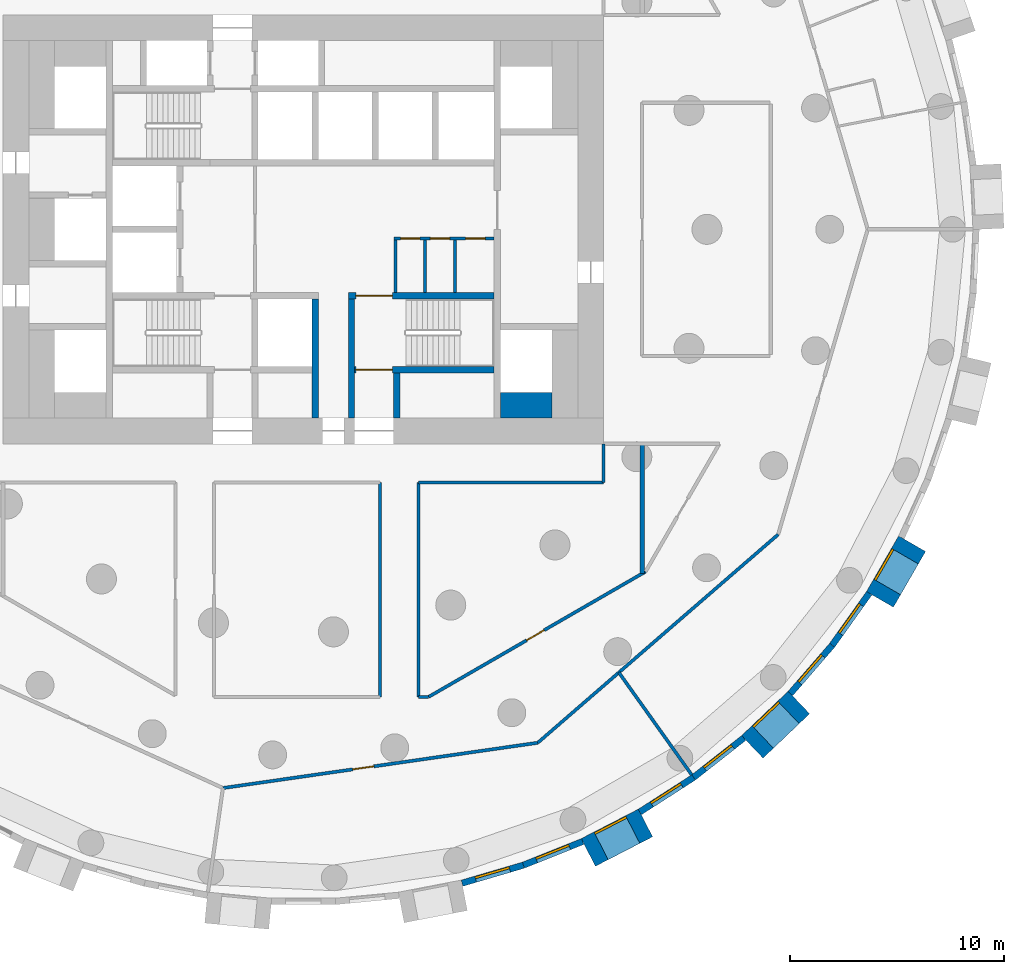
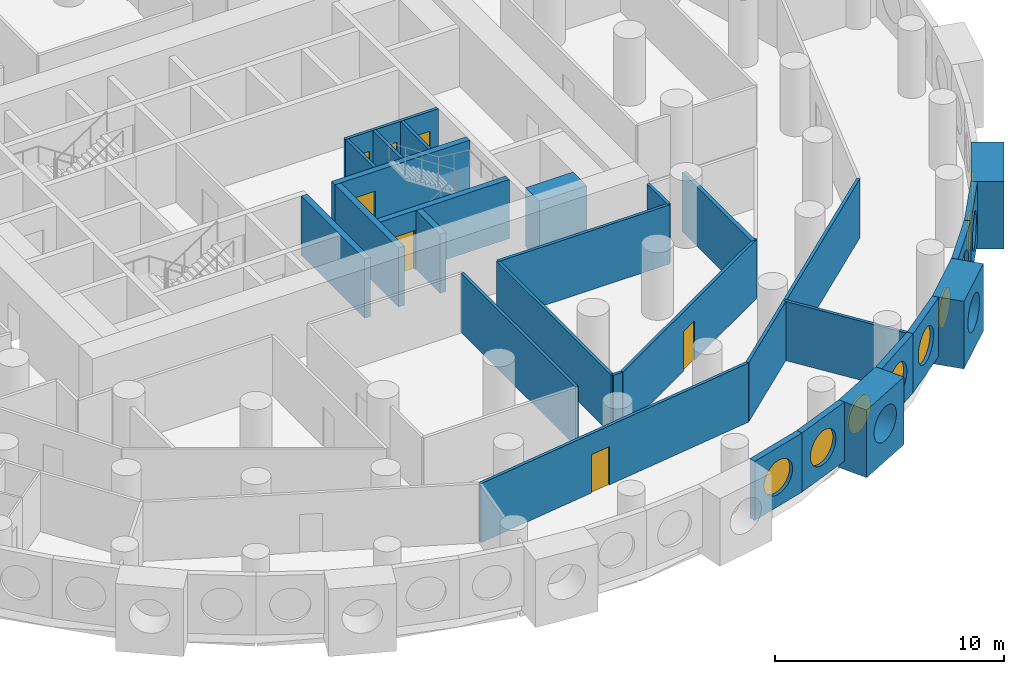
# One storey, part 5 of 12: 29 walls, 9 windows, 7 doors, 16 openings.
"""IFC4 building model written with IfcOpenShell, lengths in metres."""

from ifc_helpers import new_model, si_unit, direction, frame, frame_2d, origin, origin_2d, place, context, subcontext, project, spatial, rectangle, circle, extrude, material, layer, layer_set, type_object, element, fill, save


model = new_model("IFC4")

# Units and contexts
model_context = context("Model", 3, precision=1e-05, world=origin(), true_north=direction((0.0, 1.0)))
body_context = subcontext(model_context, "Body", "Model", "MODEL_VIEW")
ifc_project = project(units=[si_unit("LENGTHUNIT", "METRE"), si_unit("AREAUNIT", "SQUARE_METRE"), si_unit("VOLUMEUNIT", "CUBIC_METRE"), si_unit("PLANEANGLEUNIT", "RADIAN"), si_unit("MASSUNIT", "GRAM", prefix="KILO")], contexts=[model_context])

# Site, building, storey
site_placement = place(None, origin())
site = spatial("IfcSite", under=ifc_project, at=site_placement, CompositionType="ELEMENT")
building_placement = place(site_placement, origin())
building = spatial("IfcBuilding", under=site, at=building_placement, Name="Tracery Tower", CompositionType="ELEMENT")
storey_placement = place(building_placement, frame((0.0, 0.0, 89.39990234375)))
storey = spatial("IfcBuildingStorey", under=building, at=storey_placement, Name="L22", CompositionType="ELEMENT", Elevation=89.39990234375)

# Wall
ifc_material_1 = material(Name="Plasterboard on steel studs", Category="steel")
ifc_layer_1 = layer(ifc_material_1, 0.14990234375)
ifc_layer_set_1 = layer_set([ifc_layer_1], Name="Core room partition 150")
wall_type_1 = type_object("IfcWallType", Name="Core room partition 150", PredefinedType="SOLIDWALL", material=ifc_layer_set_1)
wall_1_placement = place(storey_placement, frame((4.300048828125, -2.949951171875, 0.0), z_axis=(0.0, 0.0, 1.0), x_axis=(0.0, 1.0, 0.0)))
element("IfcWall", 1, at=wall_1_placement, inside=storey, type_object=wall_type_1, Name="L22 slot W", PredefinedType="SOLIDWALL", context=body_context, shape_type="SweptSolid", body=[
    extrude(rectangle(XDim=2.449951171875, YDim=0.14990234375, at=frame_2d((1.22509765625, 0.0))), origin(), (0.0, 0.0, 1.0), 3.150146484375),
])

# Wall, openings, doors
wall_2_placement = place(storey_placement, frame((4.22509765625, -0.425048828125, 0.0), z_axis=(0.0, 0.0, 1.0), x_axis=(1.0, 0.0, 0.0)))
wall_2 = element("IfcWall", 2, at=wall_2_placement, inside=storey, type_object=wall_type_1, Name="L22 slot N", PredefinedType="SOLIDWALL", context=body_context, shape_type="SweptSolid", body=[
    extrude(rectangle(XDim=4.6748046875, YDim=0.14990234375, at=frame_2d((2.33740234375, 0.0))), origin(), (0.0, 0.0, 1.0), 3.150146484375),
])
opening_1_placement = place(wall_2_placement, frame((0.3125, 0.0, 0.0)))
opening_1 = element("IfcOpeningElement", 3, at=opening_1_placement, cuts=wall_2, Name="Opening KD32", PredefinedType="OPENING", context=body_context, shape_type="SweptSolid", body=[
    extrude(rectangle(XDim=0.89990234375, YDim=2.10009765625, at=frame_2d((0.449951171875, 1.050048828125))), frame((0.0, 0.074951171875, 0.0), z_axis=(0.0, -1.0, 0.0), x_axis=(1.0, 0.0, 0.0)), (0.0, 0.0, 1.0), 0.14990234375),
])
opening_2_placement = place(wall_2_placement, frame((1.699951171875, 0.0, 0.0)))
opening_2 = element("IfcOpeningElement", 4, at=opening_2_placement, cuts=wall_2, Name="Opening KD26", PredefinedType="OPENING", context=body_context, shape_type="SweptSolid", body=[
    extrude(rectangle(XDim=0.89990234375, YDim=2.10009765625, at=frame_2d((0.449951171875, 1.050048828125))), frame((0.0, 0.074951171875, 0.0), z_axis=(0.0, -1.0, 0.0), x_axis=(1.0, 0.0, 0.0)), (0.0, 0.0, 1.0), 0.14990234375),
])
opening_3_placement = place(wall_2_placement, frame((3.35009765625, 0.0, 0.0)))
opening_3 = element("IfcOpeningElement", 5, at=opening_3_placement, cuts=wall_2, Name="Opening KD22", PredefinedType="OPENING", context=body_context, shape_type="SweptSolid", body=[
    extrude(rectangle(XDim=0.89990234375, YDim=2.10009765625, at=frame_2d((0.449951171875, 1.050048828125))), frame((0.0, 0.074951171875, 0.0), z_axis=(0.0, -1.0, 0.0), x_axis=(1.0, 0.0, 0.0)), (0.0, 0.0, 1.0), 0.14990234375),
])
ifc_material_2 = material(Name="Timber door leaf", Category="wood")
door_type_1 = type_object("IfcDoorType", Name="Core WC door 900", OperationType="NOTDEFINED", PredefinedType="DOOR", material=ifc_material_2)
door_1_placement = place(opening_3_placement, origin())
door_1 = element("IfcDoor", 6, at=door_1_placement, inside=storey, type_object=door_type_1, Name="Core door", OperationType="SINGLE_SWING_RIGHT", OverallHeight=2.10009765625, OverallWidth=0.89990234375, PredefinedType="DOOR", context=body_context, shape_type="SweptSolid", body=[
    extrude(rectangle(XDim=0.89990234375, YDim=2.10009765625, at=frame_2d((0.449951171875, 1.050048828125))), frame((0.0, 0.02490234375, 0.0), z_axis=(0.0, -1.0, 0.0), x_axis=(1.0, 0.0, 0.0)), (0.0, 0.0, 1.0), 0.050048828125),
])
fill(opening_3, door_1)
ifc_material_3 = material(Name="Steel fire door", Category="steel")
door_type_2 = type_object("IfcDoorType", Name="Core riser door 900", OperationType="NOTDEFINED", PredefinedType="DOOR", material=ifc_material_3)
door_2_placement = place(opening_1_placement, origin())
door_2 = element("IfcDoor", 7, at=door_2_placement, inside=storey, type_object=door_type_2, Name="Core door", OperationType="SINGLE_SWING_RIGHT", OverallHeight=2.10009765625, OverallWidth=0.89990234375, PredefinedType="DOOR", context=body_context, shape_type="SweptSolid", body=[
    extrude(rectangle(XDim=0.89990234375, YDim=2.10009765625, at=frame_2d((0.449951171875, 1.050048828125))), frame((0.0, 0.02490234375, 0.0), z_axis=(0.0, -1.0, 0.0), x_axis=(1.0, 0.0, 0.0)), (0.0, 0.0, 1.0), 0.050048828125),
])
fill(opening_1, door_2)
ifc_material_4 = material(Name="Timber door leaf", Category="wood")
door_type_3 = type_object("IfcDoorType", Name="Core store door 900", OperationType="NOTDEFINED", PredefinedType="DOOR", material=ifc_material_4)
door_3_placement = place(opening_2_placement, origin())
door_3 = element("IfcDoor", 8, at=door_3_placement, inside=storey, type_object=door_type_3, Name="Core door", OperationType="SINGLE_SWING_LEFT", OverallHeight=2.10009765625, OverallWidth=0.89990234375, PredefinedType="DOOR", context=body_context, shape_type="SweptSolid", body=[
    extrude(rectangle(XDim=0.89990234375, YDim=2.10009765625, at=frame_2d((0.449951171875, 1.050048828125))), frame((0.0, 0.02490234375, 0.0), z_axis=(0.0, -1.0, 0.0), x_axis=(1.0, 0.0, 0.0)), (0.0, 0.0, 1.0), 0.050048828125),
])
fill(opening_2, door_3)

# Walls
for number, where, z_axis, x_axis, name in (
    (9, (5.675048828125, -2.949951171875, 0.0), (0.0, 0.0, 1.0), (0.0, 1.0, 0.0), "L22 slot sep 1"),
    (10, (7.074951171875, -2.949951171875, 0.0), (0.0, 0.0, 1.0), (0.0, 1.0, 0.0), "L22 slot sep 2"),
):
    element("IfcWall", number, at=place(storey_placement, frame(where, z_axis=z_axis, x_axis=x_axis)), inside=storey, type_object=wall_type_1, Name=name, PredefinedType="SOLIDWALL", context=body_context, shape_type="SweptSolid", body=[
        extrude(rectangle(XDim=2.449951171875, YDim=0.14990234375, at=frame_2d((1.22509765625, 0.0))), origin(), (0.0, 0.0, 1.0), 3.150146484375),
    ])
ifc_material_5 = material(Name="Concrete C60/75", Category="concrete")
ifc_layer_2 = layer(ifc_material_5, 1.199951171875)
ifc_layer_set_2 = layer_set([ifc_layer_2], Name="Core strip wall 1200 C60")
wall_type_2 = type_object("IfcWallType", Name="Core strip wall 1200 C60", PredefinedType="SOLIDWALL", material=ifc_layer_set_2)
wall_3_placement = place(storey_placement, frame((9.199951171875, -8.199951171875, 0.0), z_axis=(0.0, 0.0, 1.0), x_axis=(1.0, 0.0, 0.0)))
element("IfcWall", 11, at=wall_3_placement, inside=storey, type_object=wall_type_2, Name="L22 wing corner +1 -8.2", PredefinedType="SOLIDWALL", context=body_context, shape_type="SweptSolid", body=[
    extrude(rectangle(XDim=2.400146484375, YDim=1.199951171875, at=frame_2d((1.2001953125, 0.0))), origin(), (0.0, 0.0, 1.0), 3.150146484375),
])

# Wall, opening, window
ifc_material_6 = material(Name="Precast concrete C50/60", Category="concrete")
ifc_layer_3 = layer(ifc_material_6, 1.449951171875)
ifc_layer_set_3 = layer_set([ifc_layer_3], Name="Deep-set bay unit 3000 x 3600, slab edge 450")
wall_type_3 = type_object("IfcWallType", Name="Deep-set bay unit 3000 x 3600, slab edge 450", PredefinedType="ELEMENTEDWALL", material=ifc_layer_set_3)
wall_4_placement = place(storey_placement, frame((13.29052734375, -29.053466796875, -0.449951171875), z_axis=(0.0, 0.0, 1.0), x_axis=(0.888858064689, 0.458182650083, 0.0)))
wall_4 = element("IfcWall", 12, at=wall_4_placement, inside=storey, type_object=wall_type_3, Name="Deep-set bay unit 55 at L22", PredefinedType="ELEMENTEDWALL", context=body_context, shape_type="SweptSolid", body=[
    extrude(rectangle(XDim=3.0, YDim=1.449951171875, at=frame_2d((1.5, 0.0))), origin(), (0.0, 0.0, 1.0), 3.60009765625),
])
opening_4_placement = place(wall_4_placement, frame((1.5, 0.0, 2.0)))
opening_4 = element("IfcOpeningElement", 13, at=opening_4_placement, cuts=wall_4, Name="Opening WN1", PredefinedType="OPENING", context=body_context, shape_type="SweptSolid", body=[
    extrude(circle(Radius=0.9000244140625, at=origin_2d()), frame((0.0, 0.73486328125, 0.0), z_axis=(0.0, -1.0, 0.0), x_axis=(1.0, 0.0, 0.0)), (0.0, 0.0, 1.0), 1.469970703125),
])
ifc_material_7 = material(Name="Aluminium frame with tinted double glazing", Category="aluminium")
window_type = type_object("IfcWindowType", Name="Round window 1800", PartitioningType="SINGLE_PANEL", PredefinedType="WINDOW", material=ifc_material_7)
window_1_placement = place(opening_4_placement, origin())
window_1 = element("IfcWindow", 14, at=window_1_placement, inside=storey, type_object=window_type, Name="Round window 55 at L22", OverallHeight=1.800048828125, OverallWidth=1.800048828125, PartitioningType="SINGLE_PANEL", PredefinedType="WINDOW", context=body_context, shape_type="SweptSolid", body=[
    extrude(circle(Radius=0.9000244140625, at=origin_2d()), frame((0.0, 0.69482421875, 0.0), z_axis=(0.0, -1.0, 0.0), x_axis=(1.0, 0.0, 0.0)), (0.0, 0.0, 1.0), 0.10009765625),
])
fill(opening_4, window_1)

wall_5_placement = place(storey_placement, frame((20.9375, -24.13232421875, -0.449951171875), z_axis=(0.0, 0.0, 1.0), x_axis=(0.723712023899, 0.690102098579, 0.0)))
wall_5 = element("IfcWall", 15, at=wall_5_placement, inside=storey, type_object=wall_type_3, Name="Deep-set bay unit 58 at L22", PredefinedType="ELEMENTEDWALL", context=body_context, shape_type="SweptSolid", body=[
    extrude(rectangle(XDim=3.0, YDim=1.449951171875, at=frame_2d((1.5, 0.0))), origin(), (0.0, 0.0, 1.0), 3.60009765625),
])
opening_5_placement = place(wall_5_placement, frame((1.5, 0.0, 2.0)))
opening_5 = element("IfcOpeningElement", 16, at=opening_5_placement, cuts=wall_5, Name="Opening WN1", PredefinedType="OPENING", context=body_context, shape_type="SweptSolid", body=[
    extrude(circle(Radius=0.9000244140625, at=origin_2d()), frame((0.0, 0.73486328125, 0.0), z_axis=(0.0, -1.0, 0.0), x_axis=(1.0, 0.0, 0.0)), (0.0, 0.0, 1.0), 1.469970703125),
])
window_2_placement = place(opening_5_placement, origin())
window_2 = element("IfcWindow", 17, at=window_2_placement, inside=storey, type_object=window_type, Name="Round window 58 at L22", OverallHeight=1.800048828125, OverallWidth=1.800048828125, PartitioningType="SINGLE_PANEL", PredefinedType="WINDOW", context=body_context, shape_type="SweptSolid", body=[
    extrude(circle(Radius=0.9000244140625, at=origin_2d()), frame((0.0, 0.69482421875, 0.0), z_axis=(0.0, -1.0, 0.0), x_axis=(1.0, 0.0, 0.0)), (0.0, 0.0, 1.0), 0.10009765625),
])
fill(opening_5, window_2)

wall_6_placement = place(storey_placement, frame((26.88818359375, -17.256103515625, -0.449951171875), z_axis=(0.0, 0.0, 1.0), x_axis=(0.499990139034, 0.866031096941, 0.0)))
wall_6 = element("IfcWall", 18, at=wall_6_placement, inside=storey, type_object=wall_type_3, Name="Deep-set bay unit 61 at L22", PredefinedType="ELEMENTEDWALL", context=body_context, shape_type="SweptSolid", body=[
    extrude(rectangle(XDim=3.0, YDim=1.449951171875, at=frame_2d((1.5, 0.0))), origin(), (0.0, 0.0, 1.0), 3.60009765625),
])
opening_6_placement = place(wall_6_placement, frame((1.5, 0.0, 2.0)))
opening_6 = element("IfcOpeningElement", 19, at=opening_6_placement, cuts=wall_6, Name="Opening WN1", PredefinedType="OPENING", context=body_context, shape_type="SweptSolid", body=[
    extrude(circle(Radius=0.9000244140625, at=origin_2d()), frame((0.0, 0.73486328125, 0.0), z_axis=(0.0, -1.0, 0.0), x_axis=(1.0, 0.0, 0.0)), (0.0, 0.0, 1.0), 1.469970703125),
])
window_3_placement = place(opening_6_placement, origin())
window_3 = element("IfcWindow", 20, at=window_3_placement, inside=storey, type_object=window_type, Name="Round window 61 at L22", OverallHeight=1.800048828125, OverallWidth=1.800048828125, PartitioningType="SINGLE_PANEL", PredefinedType="WINDOW", context=body_context, shape_type="SweptSolid", body=[
    extrude(circle(Radius=0.9000244140625, at=origin_2d()), frame((0.0, 0.69482421875, 0.0), z_axis=(0.0, -1.0, 0.0), x_axis=(1.0, 0.0, 0.0)), (0.0, 0.0, 1.0), 0.10009765625),
])
fill(opening_6, window_3)

ifc_material_8 = material(Name="Precast concrete C50/60", Category="concrete")
ifc_layer_4 = layer(ifc_material_8, 0.300048828125)
ifc_layer_set_4 = layer_set([ifc_layer_4], Name="Facade panel 3000 x 3150")
wall_type_4 = type_object("IfcWallType", Name="Facade panel 3000 x 3150", PredefinedType="SOLIDWALL", material=ifc_layer_set_4)
wall_7_placement = place(storey_placement, frame((7.402587890625, -30.48828125, 0.0), z_axis=(0.0, 0.0, 1.0), x_axis=(0.959501085144, 0.281704930036, 0.0)))
wall_7 = element("IfcWall", 21, at=wall_7_placement, inside=storey, type_object=wall_type_4, Name="Facade panel 53 at L22", PredefinedType="SOLIDWALL", context=body_context, shape_type="SweptSolid", body=[
    extrude(rectangle(XDim=2.9794921875, YDim=0.300048828125, at=frame_2d((1.48974609375, 0.0))), origin(), (0.0, 0.0, 1.0), 3.150146484375),
])
opening_7_placement = place(wall_7_placement, frame((1.48974609375, 0.0, 1.5498046875)))
opening_7 = element("IfcOpeningElement", 22, at=opening_7_placement, cuts=wall_7, Name="Opening WN1", PredefinedType="OPENING", context=body_context, shape_type="SweptSolid", body=[
    extrude(circle(Radius=0.9000244140625, at=origin_2d()), frame((0.0, 0.159912109375, 0.0), z_axis=(0.0, -1.0, 0.0), x_axis=(1.0, 0.0, 0.0)), (0.0, 0.0, 1.0), 0.320068359375),
])
window_4_placement = place(opening_7_placement, origin())
window_4 = element("IfcWindow", 23, at=window_4_placement, inside=storey, type_object=window_type, Name="Round window 53 at L22", OverallHeight=1.800048828125, OverallWidth=1.800048828125, PartitioningType="SINGLE_PANEL", PredefinedType="WINDOW", context=body_context, shape_type="SweptSolid", body=[
    extrude(circle(Radius=0.9000244140625, at=origin_2d()), frame((0.0, 0.1201171875, 0.0), z_axis=(0.0, -1.0, 0.0), x_axis=(1.0, 0.0, 0.0)), (0.0, 0.0, 1.0), 0.10009765625),
])
fill(opening_7, window_4)

wall_8_placement = place(storey_placement, frame((10.261474609375, -29.64892578125, 0.0), z_axis=(0.0, 0.0, 1.0), x_axis=(0.928374947, 0.371644935098, 0.0)))
wall_8 = element("IfcWall", 24, at=wall_8_placement, inside=storey, type_object=wall_type_4, Name="Facade panel 54 at L22", PredefinedType="SOLIDWALL", context=body_context, shape_type="SweptSolid", body=[
    extrude(rectangle(XDim=2.979736328125, YDim=0.300048828125, at=frame_2d((1.48974609375, 0.0))), origin(), (0.0, 0.0, 1.0), 3.150146484375),
])
opening_8_placement = place(wall_8_placement, frame((1.48974609375, 0.0, 1.5498046875)))
opening_8 = element("IfcOpeningElement", 25, at=opening_8_placement, cuts=wall_8, Name="Opening WN1", PredefinedType="OPENING", context=body_context, shape_type="SweptSolid", body=[
    extrude(circle(Radius=0.9000244140625, at=origin_2d()), frame((0.0, 0.159912109375, 0.0), z_axis=(0.0, -1.0, 0.0), x_axis=(1.0, 0.0, 0.0)), (0.0, 0.0, 1.0), 0.320068359375),
])
window_5_placement = place(opening_8_placement, origin())
window_5 = element("IfcWindow", 26, at=window_5_placement, inside=storey, type_object=window_type, Name="Round window 54 at L22", OverallHeight=1.800048828125, OverallWidth=1.800048828125, PartitioningType="SINGLE_PANEL", PredefinedType="WINDOW", context=body_context, shape_type="SweptSolid", body=[
    extrude(circle(Radius=0.9000244140625, at=origin_2d()), frame((0.0, 0.1201171875, 0.0), z_axis=(0.0, -1.0, 0.0), x_axis=(1.0, 0.0, 0.0)), (0.0, 0.0, 1.0), 0.10009765625),
])
fill(opening_8, window_5)

wall_9_placement = place(storey_placement, frame((15.6923828125, -27.167724609375, 0.0), z_axis=(0.0, 0.0, 1.0), x_axis=(0.841260995538, 0.54062920508, 0.0)))
wall_9 = element("IfcWall", 27, at=wall_9_placement, inside=storey, type_object=wall_type_4, Name="Facade panel 56 at L22", PredefinedType="SOLIDWALL", context=body_context, shape_type="SweptSolid", body=[
    extrude(rectangle(XDim=2.9794921875, YDim=0.300048828125, at=frame_2d((1.48974609375, 0.0))), origin(), (0.0, 0.0, 1.0), 3.150146484375),
])
opening_9_placement = place(wall_9_placement, frame((1.48974609375, 0.0, 1.5498046875)))
opening_9 = element("IfcOpeningElement", 28, at=opening_9_placement, cuts=wall_9, Name="Opening WN1", PredefinedType="OPENING", context=body_context, shape_type="SweptSolid", body=[
    extrude(circle(Radius=0.9000244140625, at=origin_2d()), frame((0.0, 0.159912109375, 0.0), z_axis=(0.0, -1.0, 0.0), x_axis=(1.0, 0.0, 0.0)), (0.0, 0.0, 1.0), 0.320068359375),
])
window_6_placement = place(opening_9_placement, origin())
window_6 = element("IfcWindow", 29, at=window_6_placement, inside=storey, type_object=window_type, Name="Round window 56 at L22", OverallHeight=1.800048828125, OverallWidth=1.800048828125, PartitioningType="SINGLE_PANEL", PredefinedType="WINDOW", context=body_context, shape_type="SweptSolid", body=[
    extrude(circle(Radius=0.9000244140625, at=origin_2d()), frame((0.0, 0.1201171875, 0.0), z_axis=(0.0, -1.0, 0.0), x_axis=(1.0, 0.0, 0.0)), (0.0, 0.0, 1.0), 0.10009765625),
])
fill(opening_9, window_6)

wall_10_placement = place(storey_placement, frame((18.198974609375, -25.556884765625, 0.0), z_axis=(0.0, 0.0, 1.0), x_axis=(0.786053834673, 0.618158045322, 0.0)))
wall_10 = element("IfcWall", 30, at=wall_10_placement, inside=storey, type_object=wall_type_4, Name="Facade panel 57 at L22", PredefinedType="SOLIDWALL", context=body_context, shape_type="SweptSolid", body=[
    extrude(rectangle(XDim=2.9794921875, YDim=0.300048828125, at=frame_2d((1.48974609375, 0.0))), origin(), (0.0, 0.0, 1.0), 3.150146484375),
])
opening_10_placement = place(wall_10_placement, frame((1.48974609375, 0.0, 1.5498046875)))
opening_10 = element("IfcOpeningElement", 31, at=opening_10_placement, cuts=wall_10, Name="Opening WN1", PredefinedType="OPENING", context=body_context, shape_type="SweptSolid", body=[
    extrude(circle(Radius=0.9000244140625, at=origin_2d()), frame((0.0, 0.159912109375, 0.0), z_axis=(0.0, -1.0, 0.0), x_axis=(1.0, 0.0, 0.0)), (0.0, 0.0, 1.0), 0.320068359375),
])
window_7_placement = place(opening_10_placement, origin())
window_7 = element("IfcWindow", 32, at=window_7_placement, inside=storey, type_object=window_type, Name="Round window 57 at L22", OverallHeight=1.800048828125, OverallWidth=1.800048828125, PartitioningType="SINGLE_PANEL", PredefinedType="WINDOW", context=body_context, shape_type="SweptSolid", body=[
    extrude(circle(Radius=0.9000244140625, at=origin_2d()), frame((0.0, 0.1201171875, 0.0), z_axis=(0.0, -1.0, 0.0), x_axis=(1.0, 0.0, 0.0)), (0.0, 0.0, 1.0), 0.10009765625),
])
fill(opening_10, window_7)

wall_11_placement = place(storey_placement, frame((22.710693359375, -21.646240234375, 0.0), z_axis=(0.0, 0.0, 1.0), x_axis=(0.654830712471, 0.755775587066, 0.0)))
wall_11 = element("IfcWall", 33, at=wall_11_placement, inside=storey, type_object=wall_type_4, Name="Facade panel 59 at L22", PredefinedType="SOLIDWALL", context=body_context, shape_type="SweptSolid", body=[
    extrude(rectangle(XDim=2.979736328125, YDim=0.300048828125, at=frame_2d((1.48974609375, 0.0))), origin(), (0.0, 0.0, 1.0), 3.150146484375),
])
opening_11_placement = place(wall_11_placement, frame((1.48974609375, 0.0, 1.5498046875)))
opening_11 = element("IfcOpeningElement", 34, at=opening_11_placement, cuts=wall_11, Name="Opening WN1", PredefinedType="OPENING", context=body_context, shape_type="SweptSolid", body=[
    extrude(circle(Radius=0.9000244140625, at=origin_2d()), frame((0.0, 0.159912109375, 0.0), z_axis=(0.0, -1.0, 0.0), x_axis=(1.0, 0.0, 0.0)), (0.0, 0.0, 1.0), 0.320068359375),
])
window_8_placement = place(opening_11_placement, origin())
window_8 = element("IfcWindow", 35, at=window_8_placement, inside=storey, type_object=window_type, Name="Round window 59 at L22", OverallHeight=1.800048828125, OverallWidth=1.800048828125, PartitioningType="SINGLE_PANEL", PredefinedType="WINDOW", context=body_context, shape_type="SweptSolid", body=[
    extrude(circle(Radius=0.9000244140625, at=origin_2d()), frame((0.0, 0.1201171875, 0.0), z_axis=(0.0, -1.0, 0.0), x_axis=(1.0, 0.0, 0.0)), (0.0, 0.0, 1.0), 0.10009765625),
])
fill(opening_11, window_8)

wall_12_placement = place(storey_placement, frame((24.661865234375, -19.394287109375, 0.0), z_axis=(0.0, 0.0, 1.0), x_axis=(0.580113774115, 0.814535456, 0.0)))
wall_12 = element("IfcWall", 36, at=wall_12_placement, inside=storey, type_object=wall_type_4, Name="Facade panel 60 at L22", PredefinedType="SOLIDWALL", context=body_context, shape_type="SweptSolid", body=[
    extrude(rectangle(XDim=2.979736328125, YDim=0.300048828125, at=frame_2d((1.48974609375, 0.0))), origin(), (0.0, 0.0, 1.0), 3.150146484375),
])
opening_12_placement = place(wall_12_placement, frame((1.48974609375, 0.0, 1.5498046875)))
opening_12 = element("IfcOpeningElement", 37, at=opening_12_placement, cuts=wall_12, Name="Opening WN1", PredefinedType="OPENING", context=body_context, shape_type="SweptSolid", body=[
    extrude(circle(Radius=0.9000244140625, at=origin_2d()), frame((0.0, 0.159912109375, 0.0), z_axis=(0.0, -1.0, 0.0), x_axis=(1.0, 0.0, 0.0)), (0.0, 0.0, 1.0), 0.320068359375),
])
window_9_placement = place(opening_12_placement, origin())
window_9 = element("IfcWindow", 38, at=window_9_placement, inside=storey, type_object=window_type, Name="Round window 60 at L22", OverallHeight=1.800048828125, OverallWidth=1.800048828125, PartitioningType="SINGLE_PANEL", PredefinedType="WINDOW", context=body_context, shape_type="SweptSolid", body=[
    extrude(circle(Radius=0.9000244140625, at=origin_2d()), frame((0.0, 0.1201171875, 0.0), z_axis=(0.0, -1.0, 0.0), x_axis=(1.0, 0.0, 0.0)), (0.0, 0.0, 1.0), 0.10009765625),
])
fill(opening_12, window_9)

# Walls
ifc_material_9 = material(Name="Plasterboard on steel studs", Category="steel")
ifc_layer_5 = layer(ifc_material_9, 0.14990234375)
ifc_layer_set_5 = layer_set([ifc_layer_5], Name="Partition 150 acoustic unit wall")
wall_type_5 = type_object("IfcWallType", Name="Partition 150 acoustic unit wall", PredefinedType="PARTITIONING", material=ifc_layer_set_5)
wall_13_placement = place(storey_placement, frame((14.715087890625, -20.6640625, 0.0), z_axis=(0.0, 0.0, 1.0), x_axis=(0.580007254017, -0.814611309329, 0.0)))
element("IfcWall", 39, at=wall_13_placement, inside=storey, type_object=wall_type_5, Name="Unit wall RA6-099", PredefinedType="PARTITIONING", context=body_context, shape_type="SweptSolid", body=[
    extrude(rectangle(XDim=5.856689453125, YDim=0.14990234375, at=frame_2d((2.92822265625, 0.0))), origin(), (0.0, 0.0, 1.0), 3.150146484375),
])
ifc_material_10 = material(Name="Plasterboard on steel studs", Category="steel")
ifc_layer_6 = layer(ifc_material_10, 0.14990234375)
ifc_layer_set_6 = layer_set([ifc_layer_6], Name="Partition 150 corridor wall")
wall_type_6 = type_object("IfcWallType", Name="Partition 150 corridor wall", PredefinedType="PARTITIONING", material=ifc_layer_set_6)
wall_14_placement = place(storey_placement, frame((14.0, -11.800048828125, 0.0), z_axis=(0.0, 0.0, 1.0), x_axis=(0.0, 1.0, 0.0)))
element("IfcWall", 40, at=wall_14_placement, inside=storey, type_object=wall_type_6, Name="Corridor wall RA6-008", PredefinedType="PARTITIONING", context=body_context, shape_type="SweptSolid", body=[
    extrude(rectangle(XDim=1.800048828125, YDim=0.14990234375, at=frame_2d((0.89990234375, 0.0))), origin(), (0.0, 0.0, 1.0), 3.150146484375),
])
wall_15_placement = place(storey_placement, frame((5.3720703125, -11.800048828125, 0.0), z_axis=(0.0, 0.0, 1.0), x_axis=(1.0, 0.0, 0.0)))
element("IfcWall", 41, at=wall_15_placement, inside=storey, type_object=wall_type_6, Name="Corridor wall RA6-009", PredefinedType="PARTITIONING", context=body_context, shape_type="SweptSolid", body=[
    extrude(rectangle(XDim=8.6279296875, YDim=0.14990234375, at=frame_2d((4.31396484375, 0.0))), origin(), (0.0, 0.0, 1.0), 3.150146484375),
])
wall_16_placement = place(storey_placement, frame((10.93310546875, -23.940185546875, 0.0), z_axis=(0.0, 0.0, 1.0), x_axis=(0.755770011705, 0.654837147242, 0.0)))
element("IfcWall", 42, at=wall_16_placement, inside=storey, type_object=wall_type_6, Name="Corridor wall RA6-023", PredefinedType="PARTITIONING", context=body_context, shape_type="SweptSolid", body=[
    extrude(rectangle(XDim=14.829833984375, YDim=0.14990234375, at=frame_2d((7.4150390625, 0.0))), origin(), (0.0, 0.0, 1.0), 3.150146484375),
])
for number, where, z_axis, x_axis, name in (
    (43, (3.575927734375, -21.802001953125, 0.0), (0.0, 0.0, 1.0), (0.0, 1.0, 0.0), "Corridor wall RA6-048"),
    (44, (5.3759765625, -21.802001953125, 0.0), (0.0, 0.0, 1.0), (0.0, 1.0, 0.0), "Corridor wall RA6-049"),
):
    element("IfcWall", number, at=place(storey_placement, frame(where, z_axis=z_axis, x_axis=x_axis)), inside=storey, type_object=wall_type_6, Name=name, PredefinedType="PARTITIONING", context=body_context, shape_type="SweptSolid", body=[
        extrude(rectangle(XDim=10.001953125, YDim=0.14990234375, at=frame_2d((5.0009765625, 0.0))), origin(), (0.0, 0.0, 1.0), 3.150146484375),
    ])
wall_17_placement = place(storey_placement, frame((5.3759765625, -21.802001953125, 0.0), z_axis=(0.0, 0.0, 1.0), x_axis=(1.0, 0.0, 0.0)))
element("IfcWall", 45, at=wall_17_placement, inside=storey, type_object=wall_type_6, Name="Corridor wall RA6-050", PredefinedType="PARTITIONING", context=body_context, shape_type="SweptSolid", body=[
    extrude(rectangle(XDim=0.466064453125, YDim=0.14990234375, at=frame_2d((0.23291015625, 0.0))), origin(), (0.0, 0.0, 1.0), 3.150146484375),
])

# Wall, opening, door
wall_18_placement = place(storey_placement, frame((5.842041015625, -21.802001953125, 0.0), z_axis=(0.0, 0.0, 1.0), x_axis=(0.866031778836, 0.499988957924, 0.0)))
wall_18 = element("IfcWall", 46, at=wall_18_placement, inside=storey, type_object=wall_type_6, Name="Corridor wall RA6-051", PredefinedType="PARTITIONING", context=body_context, shape_type="SweptSolid", body=[
    extrude(rectangle(XDim=11.683349609375, YDim=0.14990234375, at=frame_2d((5.841796875, 0.0))), origin(), (0.0, 0.0, 1.0), 3.150146484375),
])
opening_13_placement = place(wall_18_placement, frame((5.27392578125, 0.0, 0.0)))
opening_13 = element("IfcOpeningElement", 47, at=opening_13_placement, cuts=wall_18, Name="Opening RA6-06", PredefinedType="OPENING", context=body_context, shape_type="SweptSolid", body=[
    extrude(rectangle(XDim=0.949951171875, YDim=2.10009765625, at=frame_2d((0.47509765625, 1.050048828125))), frame((0.0, 0.074951171875, 0.0), z_axis=(0.0, -1.0, 0.0), x_axis=(1.0, 0.0, 0.0)), (0.0, 0.0, 1.0), 0.14990234375),
])
ifc_material_11 = material(Name="Timber door leaf", Category="wood")
door_type_4 = type_object("IfcDoorType", Name="Door store 950", OperationType="NOTDEFINED", PredefinedType="DOOR", material=ifc_material_11)
door_4_placement = place(opening_13_placement, origin())
door_4 = element("IfcDoor", 48, at=door_4_placement, inside=storey, type_object=door_type_4, Name="Store door RA6-06", OperationType="SINGLE_SWING_LEFT", OverallHeight=2.10009765625, OverallWidth=0.949951171875, PredefinedType="DOOR", context=body_context, shape_type="SweptSolid", body=[
    extrude(rectangle(XDim=0.949951171875, YDim=2.10009765625, at=frame_2d((0.47509765625, 1.050048828125))), frame((0.0, 0.02490234375, 0.0), z_axis=(0.0, -1.0, 0.0), x_axis=(1.0, 0.0, 0.0)), (0.0, 0.0, 1.0), 0.050048828125),
])
fill(opening_13, door_4)

wall_19_placement = place(storey_placement, frame((-3.74609375, -26.051025390625, 0.0), z_axis=(0.0, 0.0, 1.0), x_axis=(0.98981637125, 0.142350100825, 0.0)))
wall_19 = element("IfcWall", 49, at=wall_19_placement, inside=storey, type_object=wall_type_6, Name="Corridor wall RA6-053", PredefinedType="PARTITIONING", context=body_context, shape_type="SweptSolid", body=[
    extrude(rectangle(XDim=14.830322265625, YDim=0.14990234375, at=frame_2d((7.4150390625, 0.0))), origin(), (0.0, 0.0, 1.0), 3.150146484375),
])
opening_14_placement = place(wall_19_placement, frame((6.114990234375, 0.0, 0.0)))
opening_14 = element("IfcOpeningElement", 50, at=opening_14_placement, cuts=wall_19, Name="Opening RA6-41", PredefinedType="OPENING", context=body_context, shape_type="SweptSolid", body=[
    extrude(rectangle(XDim=1.0, YDim=2.0400390625, at=frame_2d((0.5, 1.02001953125))), frame((0.0, 0.074951171875, 0.0), z_axis=(0.0, -1.0, 0.0), x_axis=(1.0, 0.0, 0.0)), (0.0, 0.0, 1.0), 0.14990234375),
])
ifc_material_12 = material(Name="Timber door leaf", Category="wood")
door_type_5 = type_object("IfcDoorType", Name="Door communal room 1000", OperationType="NOTDEFINED", PredefinedType="DOOR", material=ifc_material_12)
door_5_placement = place(opening_14_placement, origin())
door_5 = element("IfcDoor", 51, at=door_5_placement, inside=storey, type_object=door_type_5, Name="Communal room door RA6-41", OperationType="SINGLE_SWING_RIGHT", OverallHeight=2.0400390625, OverallWidth=1.0, PredefinedType="DOOR", context=body_context, shape_type="SweptSolid", body=[
    extrude(rectangle(XDim=1.0, YDim=2.0400390625, at=frame_2d((0.5, 1.02001953125))), frame((0.0, 0.02490234375, 0.0), z_axis=(0.0, -1.0, 0.0), x_axis=(1.0, 0.0, 0.0)), (0.0, 0.0, 1.0), 0.050048828125),
])
fill(opening_14, door_5)

# Walls
ifc_material_13 = material(Name="Plasterboard on steel studs", Category="steel")
ifc_layer_7 = layer(ifc_material_13, 0.199951171875)
ifc_layer_set_7 = layer_set([ifc_layer_7], Name="Partition 200 compartment wall")
wall_type_7 = type_object("IfcWallType", Name="Partition 200 compartment wall", PredefinedType="PARTITIONING", material=ifc_layer_set_7)
wall_20_placement = place(storey_placement, frame((15.800048828125, -16.052978515625, 0.0), z_axis=(0.0, 0.0, 1.0), x_axis=(0.0, 1.0, 0.0)))
element("IfcWall", 52, at=wall_20_placement, inside=storey, type_object=wall_type_7, Name="Compartment wall RA6-057", PredefinedType="PARTITIONING", context=body_context, shape_type="SweptSolid", body=[
    extrude(rectangle(XDim=6.052978515625, YDim=0.199951171875, at=frame_2d((3.0263671875, 0.0))), origin(), (0.0, 0.0, 1.0), 3.150146484375),
])
ifc_material_14 = material(Name="Concrete C60/75", Category="concrete")
ifc_layer_8 = layer(ifc_material_14, 0.300048828125)
ifc_layer_set_8 = layer_set([ifc_layer_8], Name="Shaft wall 300 C60")
wall_type_8 = type_object("IfcWallType", Name="Shaft wall 300 C60", PredefinedType="SOLIDWALL", material=ifc_layer_set_8)
wall_21_placement = place(storey_placement, frame((0.550048828125, -8.800048828125, 0.0), z_axis=(0.0, 0.0, 1.0), x_axis=(0.0, 1.0, 0.0)))
element("IfcWall", 53, at=wall_21_placement, inside=storey, type_object=wall_type_8, Name="L22 OB2 E", PredefinedType="SOLIDWALL", context=body_context, shape_type="SweptSolid", body=[
    extrude(rectangle(XDim=5.550048828125, YDim=0.300048828125, at=frame_2d((2.77490234375, 0.0))), origin(), (0.0, 0.0, 1.0), 3.150146484375),
])
wall_22_placement = place(storey_placement, frame((4.35009765625, -8.800048828125, 0.0), z_axis=(0.0, 0.0, 1.0), x_axis=(0.0, 1.0, 0.0)))
element("IfcWall", 54, at=wall_22_placement, inside=storey, type_object=wall_type_8, Name="L22 band S +4.35", PredefinedType="SOLIDWALL", context=body_context, shape_type="SweptSolid", body=[
    extrude(rectangle(XDim=2.10009765625, YDim=0.300048828125, at=frame_2d((1.050048828125, 0.0))), origin(), (0.0, 0.0, 1.0), 3.150146484375),
])

# Wall, opening, door
ifc_material_15 = material(Name="Concrete C60/75", Category="concrete")
ifc_layer_9 = layer(ifc_material_15, 0.300048828125)
ifc_layer_set_9 = layer_set([ifc_layer_9], Name="Stair wall 300 C60")
wall_type_9 = type_object("IfcWallType", Name="Stair wall 300 C60", PredefinedType="SOLIDWALL", material=ifc_layer_set_9)
wall_23_placement = place(storey_placement, frame((2.10009765625, -3.10009765625, 0.0), z_axis=(0.0, 0.0, 1.0), x_axis=(1.0, 0.0, 0.0)))
wall_23 = element("IfcWall", 55, at=wall_23_placement, inside=storey, type_object=wall_type_9, Name="L22 row S E", PredefinedType="SOLIDWALL", context=body_context, shape_type="SweptSolid", body=[
    extrude(rectangle(XDim=6.7998046875, YDim=0.300048828125, at=frame_2d((3.39990234375, 0.0))), origin(), (0.0, 0.0, 1.0), 3.150146484375),
])
opening_15_placement = place(wall_23_placement, frame((0.35009765625, 0.0, 0.0)))
opening_15 = element("IfcOpeningElement", 56, at=opening_15_placement, cuts=wall_23, Name="Opening KD3", PredefinedType="OPENING", context=body_context, shape_type="SweptSolid", body=[
    extrude(rectangle(XDim=1.699951171875, YDim=2.10009765625, at=frame_2d((0.85009765625, 1.050048828125))), frame((0.0, 0.14990234375, 0.0), z_axis=(0.0, -1.0, 0.0), x_axis=(1.0, 0.0, 0.0)), (0.0, 0.0, 1.0), 0.300048828125),
])
ifc_material_16 = material(Name="Steel fire door", Category="steel")
door_type_6 = type_object("IfcDoorType", Name="Core stair door 1700 double", OperationType="NOTDEFINED", PredefinedType="DOOR", material=ifc_material_16)
door_6_placement = place(opening_15_placement, origin())
door_6 = element("IfcDoor", 57, at=door_6_placement, inside=storey, type_object=door_type_6, Name="Stair door ST2", OperationType="DOUBLE_DOOR_SINGLE_SWING", OverallHeight=2.10009765625, OverallWidth=1.699951171875, PredefinedType="DOOR", context=body_context, shape_type="SweptSolid", body=[
    extrude(rectangle(XDim=1.699951171875, YDim=2.10009765625, at=frame_2d((0.85009765625, 1.050048828125))), frame((0.0, 0.02490234375, 0.0), z_axis=(0.0, -1.0, 0.0), x_axis=(1.0, 0.0, 0.0)), (0.0, 0.0, 1.0), 0.050048828125),
])
fill(opening_15, door_6)

# Wall
wall_24_placement = place(storey_placement, frame((2.25, -8.800048828125, 0.0), z_axis=(0.0, 0.0, 1.0), x_axis=(0.0, 1.0, 0.0)))
element("IfcWall", 58, at=wall_24_placement, inside=storey, type_object=wall_type_9, Name="L22 ST2 W", PredefinedType="SOLIDWALL", context=body_context, shape_type="SweptSolid", body=[
    extrude(rectangle(XDim=5.550048828125, YDim=0.300048828125, at=frame_2d((2.77490234375, 0.0))), origin(), (0.0, 0.0, 1.0), 3.150146484375),
])

# Wall, opening, door
wall_25_placement = place(storey_placement, frame((2.39990234375, -6.550048828125, 0.0), z_axis=(0.0, 0.0, 1.0), x_axis=(1.0, 0.0, 0.0)))
wall_25 = element("IfcWall", 59, at=wall_25_placement, inside=storey, type_object=wall_type_9, Name="L22 F S E", PredefinedType="SOLIDWALL", context=body_context, shape_type="SweptSolid", body=[
    extrude(rectangle(XDim=6.5, YDim=0.300048828125, at=frame_2d((3.25, 0.0))), origin(), (0.0, 0.0, 1.0), 3.150146484375),
])
opening_16_placement = place(wall_25_placement, frame((0.050048828125, 0.0, 0.0)))
opening_16 = element("IfcOpeningElement", 60, at=opening_16_placement, cuts=wall_25, Name="Opening KD3", PredefinedType="OPENING", context=body_context, shape_type="SweptSolid", body=[
    extrude(rectangle(XDim=1.699951171875, YDim=2.10009765625, at=frame_2d((0.85009765625, 1.050048828125))), frame((0.0, 0.14990234375, 0.0), z_axis=(0.0, -1.0, 0.0), x_axis=(1.0, 0.0, 0.0)), (0.0, 0.0, 1.0), 0.300048828125),
])
door_7_placement = place(opening_16_placement, origin())
door_7 = element("IfcDoor", 61, at=door_7_placement, inside=storey, type_object=door_type_6, Name="Stair door ST2 S", OperationType="DOUBLE_DOOR_SINGLE_SWING", OverallHeight=2.10009765625, OverallWidth=1.699951171875, PredefinedType="DOOR", context=body_context, shape_type="SweptSolid", body=[
    extrude(rectangle(XDim=1.699951171875, YDim=2.10009765625, at=frame_2d((0.85009765625, 1.050048828125))), frame((0.0, 0.02490234375, 0.0), z_axis=(0.0, -1.0, 0.0), x_axis=(1.0, 0.0, 0.0)), (0.0, 0.0, 1.0), 0.050048828125),
])
fill(opening_16, door_7)

save(model, "model.ifc")
